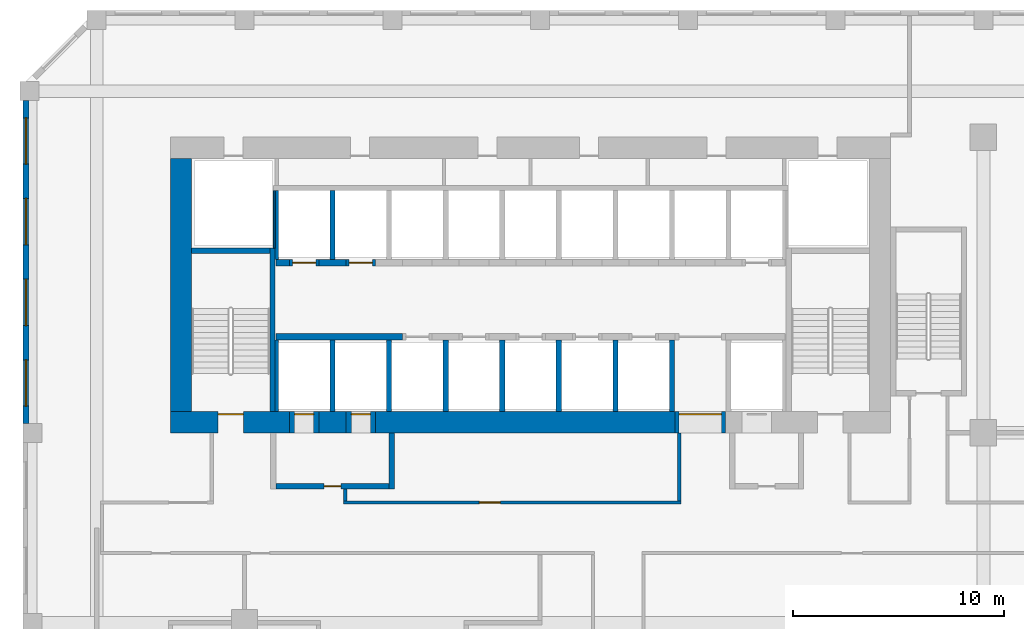
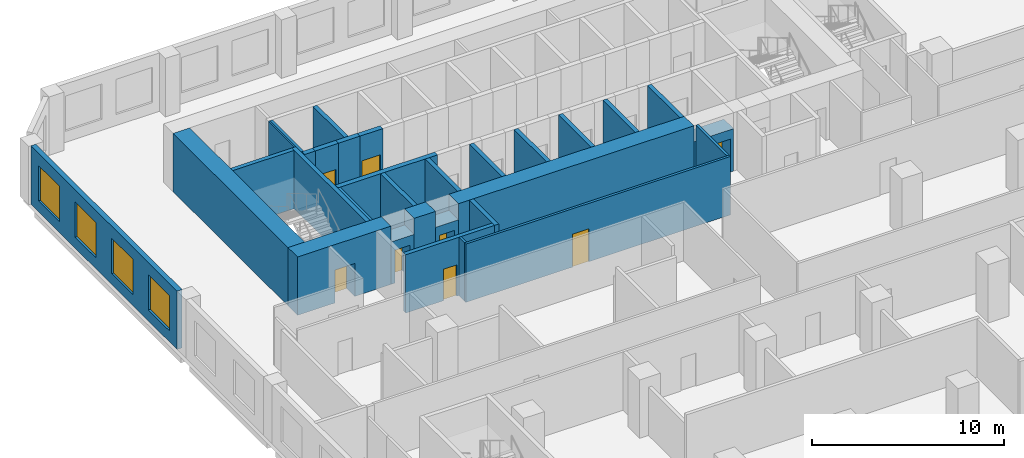
# One storey, part 12 of 25: 31 walls, 8 doors, 4 windows, 12 openings.
"""IFC4 building model written with IfcOpenShell, lengths in metres."""

import ifcopenshell
import ifcopenshell.guid

model = None  # the IFC model being written
_history = None  # IfcOwnerHistory: only IFC2X3 demands one
_inside = {}  # id of a spatial element -> (the spatial element, [elements in it])
_under = {}  # id of a project, library or spatial element -> (it, [spatial elements below it])
_declared = {}  # id of a project -> (the project, [libraries it declares])
_typed = {}  # id of a type object -> (the type object, [elements of that type])
_made_of = {}  # id of a material, layer set ... -> (it, [elements and type objects made of it])


def new_model(schema):
    """Start an empty IFC model of exactly this schema.

    Asked for "IFC4X3", IfcOpenShell would pick the latest addendum, in which some entities
    have other attributes; the version numbers below select the first issue.
    IFC2X3 requires an IfcOwnerHistory on every rooted entity: one is made here for all.
    """
    global model, _history
    if schema == "IFC4X3":
        model = ifcopenshell.file(schema_version=(4, 3, 0, 0))
    else:
        model = ifcopenshell.file(schema=schema)
    _inside.clear()
    _under.clear()
    _declared.clear()
    _typed.clear()
    _made_of.clear()
    _history = None
    if model.schema == "IFC2X3":
        org = make("IfcOrganization", Name="unknown")
        user = make(
            "IfcPersonAndOrganization",
            ThePerson=make("IfcPerson", FamilyName="unknown"),
            TheOrganization=org,
        )
        app = make(
            "IfcApplication",
            ApplicationDeveloper=org,
            Version="unknown",
            ApplicationFullName="unknown",
            ApplicationIdentifier="unknown",
        )
        _history = make(
            "IfcOwnerHistory",
            OwningUser=user,
            OwningApplication=app,
            ChangeAction="ADDED",
            CreationDate=0,
        )
    return model


def make(cls, **values):
    """One entity of the class cls with the attributes given. An attribute that is None is left unset."""
    return model.create_entity(
        cls, **{name: value for name, value in values.items() if value is not None}
    )


def rooted(cls, **values):
    """An entity with a GlobalId (a new one), such as an element, a storey or a relation."""
    return make(cls, GlobalId=ifcopenshell.guid.new(), OwnerHistory=_history, **values)


def si_unit(unit_type, name, prefix=None):
    """IfcSIUnit, for example si_unit("LENGTHUNIT", "METRE", prefix="MILLI")."""
    return make("IfcSIUnit", UnitType=unit_type, Prefix=prefix, Name=name)


def assignment(units):
    """IfcUnitAssignment: the units of a project."""
    return None if units is None else make("IfcUnitAssignment", Units=units)


def point(xyz):
    """IfcCartesianPoint."""
    return None if xyz is None else make("IfcCartesianPoint", Coordinates=xyz)


def direction(xyz):
    """IfcDirection."""
    return None if xyz is None else make("IfcDirection", DirectionRatios=xyz)


def frame(location, z_axis=None, x_axis=None):
    """IfcAxis2Placement3D, a coordinate frame: its origin and axes. An axis left out is left unset."""
    return make(
        "IfcAxis2Placement3D",
        Location=point(location),
        Axis=direction(z_axis),
        RefDirection=direction(x_axis),
    )


def frame_2d(location, x_axis=None):
    """IfcAxis2Placement2D, a coordinate frame in the plane: its origin and x axis."""
    return make(
        "IfcAxis2Placement2D", Location=point(location), RefDirection=direction(x_axis)
    )


def origin():
    """The frame at (0, 0, 0) with its axes left unset."""
    return frame((0.0, 0.0, 0.0))


def place(relative_to, where):
    """IfcLocalPlacement: puts the frame where relative to a parent placement (None: the world)."""
    return make(
        "IfcLocalPlacement", PlacementRelTo=relative_to, RelativePlacement=where
    )


def context(
    kind, dimensions, precision=None, world=None, true_north=None, identifier=None
):
    """IfcGeometricRepresentationContext, for example the 3D "Model" context."""
    return make(
        "IfcGeometricRepresentationContext",
        ContextIdentifier=identifier,
        ContextType=kind,
        CoordinateSpaceDimension=dimensions,
        Precision=precision,
        WorldCoordinateSystem=world,
        TrueNorth=true_north,
    )


def subcontext(parent, identifier, kind, view, scale=None):
    """IfcGeometricRepresentationSubContext, for example "Body" below "Model"."""
    return make(
        "IfcGeometricRepresentationSubContext",
        ContextIdentifier=identifier,
        ContextType=kind,
        ParentContext=parent,
        TargetScale=scale,
        TargetView=view,
    )


def project(units=None, contexts=None):
    """IfcProject with its units and contexts."""
    return rooted(
        "IfcProject",
        Name="project",
        RepresentationContexts=contexts,
        UnitsInContext=assignment(units),
    )


def spatial(cls, under=None, at=None, **own):
    """A site, building, storey or space (cls), placed at a placement, below another one or the project."""
    s = rooted(cls, ObjectPlacement=at, **own)
    if under is not None:
        _under.setdefault(under.id(), (under, []))[1].append(s)
    return s


def profile(cls, at=None, kind="AREA", **sizes):
    """A parametric profile (cls). Its sizes go by their IFC names, for example OverallWidth=200.0."""
    return make(cls, ProfileType=kind, Position=at, **sizes)


def rectangle(**sizes):
    """IfcRectangleProfileDef."""
    return profile("IfcRectangleProfileDef", **sizes)


def extrude(swept, where, along, depth):
    """IfcExtrudedAreaSolid: the profile swept, set in the frame where, extruded along a direction by depth."""
    return make(
        "IfcExtrudedAreaSolid",
        SweptArea=swept,
        Position=where,
        ExtrudedDirection=direction(along),
        Depth=depth,
    )


def shape(context_of_items, identifier, shape_type, items):
    """IfcShapeRepresentation: the items that make up one representation, for example the "Body"."""
    return make(
        "IfcShapeRepresentation",
        ContextOfItems=context_of_items,
        RepresentationIdentifier=identifier,
        RepresentationType=shape_type,
        Items=items,
    )


def source(mapping_origin, context_of_items, identifier, shape_type, items):
    """IfcRepresentationMap: a shape defined once, which mapped items show again and again."""
    return make(
        "IfcRepresentationMap",
        MappingOrigin=mapping_origin,
        MappedRepresentation=shape(context_of_items, identifier, shape_type, items),
    )


def transform(
    local_origin,
    x_axis=None,
    y_axis=None,
    z_axis=None,
    scale=None,
    scale2=None,
    scale3=None,
    uniform=True,
):
    """IfcCartesianTransformationOperator3D, or its non-uniform kind. x_axis, y_axis, z_axis: its Axis1, 2, 3."""
    if uniform:
        return make(
            "IfcCartesianTransformationOperator3D",
            Axis1=direction(x_axis),
            Axis2=direction(y_axis),
            LocalOrigin=point(local_origin),
            Scale=scale,
            Axis3=direction(z_axis),
        )
    return make(
        "IfcCartesianTransformationOperator3DnonUniform",
        Axis1=direction(x_axis),
        Axis2=direction(y_axis),
        LocalOrigin=point(local_origin),
        Scale=scale,
        Axis3=direction(z_axis),
        Scale2=scale2,
        Scale3=scale3,
    )


def mapped(mapping_source, mapping_target):
    """IfcMappedItem: shows the shape of a source again, moved by a transform."""
    return make(
        "IfcMappedItem", MappingSource=mapping_source, MappingTarget=mapping_target
    )


def material(Name=None, Category=None):
    """IfcMaterial."""
    return make("IfcMaterial", Name=Name, Category=Category)


def layer(
    of_material, thickness, ventilated=None, Name=None, Category=None, Priority=None
):
    """IfcMaterialLayer: one layer of a wall or slab, of a material (None: an air gap)."""
    return make(
        "IfcMaterialLayer",
        Material=of_material,
        LayerThickness=thickness,
        IsVentilated=ventilated,
        Name=Name,
        Category=Category,
        Priority=Priority,
    )


def layer_set(layers, Name=None):
    """IfcMaterialLayerSet."""
    return make("IfcMaterialLayerSet", MaterialLayers=layers, LayerSetName=Name)


def made_of(thing, what):
    """Note that an element or type object is made of a material, layer set ...; save() writes the relation."""
    if what is not None:
        _made_of.setdefault(what.id(), (what, []))[1].append(thing)
    return thing


def type_object(cls, material=None, **own):
    """A type object (cls), such as IfcWallType, which elements share."""
    return made_of(rooted(cls, **own), material)


def element(
    cls,
    number,
    at=None,
    inside=None,
    cuts=None,
    type_object=None,
    material=None,
    context=None,
    identifier="Body",
    shape_type=None,
    held_by="IfcProductDefinitionShape",
    body=None,
    shapes=None,
    **own,
):
    """One element of the class cls, such as IfcWall. Its Tag is "e" and its number.

    at: its placement. inside: the storey or other place that contains it. cuts: it is an
    opening in that element (IfcRelVoidsElement). A single representation is given by context,
    identifier, shape_type and body (its items); several are given by shapes. held_by: the class
    of the entity that holds the representations. save() writes the other relations.
    """
    e = rooted(cls, Tag="e%d" % number, ObjectPlacement=at, **own)
    if body is not None:
        shapes = [shape(context, identifier, shape_type, body)]
    if shapes is not None:
        e.Representation = make(held_by, Representations=shapes)
    if inside is not None:
        _inside.setdefault(inside.id(), (inside, []))[1].append(e)
    if cuts is not None:
        rooted(
            "IfcRelVoidsElement", RelatingBuildingElement=cuts, RelatedOpeningElement=e
        )
    if type_object is not None:
        _typed.setdefault(type_object.id(), (type_object, []))[1].append(e)
    return made_of(e, material)


def fill(opening, filler):
    """IfcRelFillsElement: the door or window that sits in an opening."""
    return rooted(
        "IfcRelFillsElement",
        RelatingOpeningElement=opening,
        RelatedBuildingElement=filler,
    )


def aggregate(whole, parts):
    """IfcRelAggregates: a whole, such as a stair, and the parts it consists of."""
    return rooted("IfcRelAggregates", RelatingObject=whole, RelatedObjects=parts)


def save(model, path):
    """Write the relations noted so far, then the file.

    IfcRelAggregates (storeys below a building ...), IfcRelContainedInSpatialStructure (elements
    in a storey), IfcRelDefinesByType, IfcRelAssociatesMaterial and IfcRelDeclares: one each for
    every whole, place, type object, material and project.
    """
    for whole, parts in _under.values():
        aggregate(whole, parts)
    for where, things in _inside.values():
        rooted(
            "IfcRelContainedInSpatialStructure",
            RelatedElements=things,
            RelatingStructure=where,
        )
    for kind, things in _typed.values():
        rooted("IfcRelDefinesByType", RelatedObjects=things, RelatingType=kind)
    for what, things in _made_of.values():
        rooted("IfcRelAssociatesMaterial", RelatedObjects=things, RelatingMaterial=what)
    for by, libraries in _declared.values():
        rooted("IfcRelDeclares", RelatingContext=by, RelatedDefinitions=libraries)
    model.write(path)


model = new_model("IFC4")

# Units and contexts
model_context = context("Model", 3, precision=1e-05, world=origin(), true_north=direction((0.0, 1.0)))
body_context = subcontext(model_context, "Body", "Model", "MODEL_VIEW")
ifc_project = project(units=[si_unit("LENGTHUNIT", "METRE"), si_unit("AREAUNIT", "SQUARE_METRE"), si_unit("VOLUMEUNIT", "CUBIC_METRE"), si_unit("PLANEANGLEUNIT", "RADIAN"), si_unit("MASSUNIT", "GRAM", prefix="KILO")], contexts=[model_context])

# Site, building, storey
site_placement = place(None, origin())
site = spatial("IfcSite", under=ifc_project, at=site_placement, CompositionType="ELEMENT")
building_placement = place(site_placement, origin())
building = spatial("IfcBuilding", under=site, at=building_placement, Name="Kilnfold Tower and Market Hall", CompositionType="ELEMENT")
storey_placement = place(building_placement, frame((0.0, 0.0, 67.199951171875)))
storey = spatial("IfcBuildingStorey", under=building, at=storey_placement, Name="L15", CompositionType="ELEMENT", Elevation=67.199951171875)

# Wall
ifc_material_1 = material(Name="Gypsum board on steel studs", Category="steel")
ifc_layer_1 = layer(ifc_material_1, 0.14990234375)
ifc_layer_set_1 = layer_set([ifc_layer_1], Name="Gypsum board on steel studs")
wall_type_1 = type_object("IfcWallType", Name="WALL CORRIDOR 150", PredefinedType="PARTITIONING", material=ifc_layer_set_1)
wall_1_placement = place(storey_placement, frame((-7.72998046875, 4.77490234375, 0.0), z_axis=(0.0, 0.0, 1.0), x_axis=(0.0, 1.0, 0.0)))
element("IfcWall", 1, at=wall_1_placement, inside=storey, type_object=wall_type_1, Name="Partition LY12.14", PredefinedType="PARTITIONING", context=body_context, shape_type="SweptSolid", body=[
    extrude(rectangle(XDim=0.5751953125, YDim=0.14990234375, at=frame_2d((0.28759765625, 0.0))), origin(), (0.0, 0.0, 1.0), 3.719970703125),
])

# Wall, opening, door
wall_2_placement = place(storey_placement, frame((-7.804931640625, 4.699951171875, 0.0), z_axis=(0.0, 0.0, 1.0), x_axis=(1.0, 0.0, 0.0)))
wall_2 = element("IfcWall", 2, at=wall_2_placement, inside=storey, type_object=wall_type_1, Name="Partition LY12.15", PredefinedType="PARTITIONING", context=body_context, shape_type="SweptSolid", body=[
    extrude(rectangle(XDim=15.969970703125, YDim=0.14990234375, at=frame_2d((7.98486328125, 0.0))), origin(), (0.0, 0.0, 1.0), 3.719970703125),
])
opening_1_placement = place(wall_2_placement, frame((6.429931640625, 0.0, 0.0)))
opening_1 = element("IfcOpeningElement", 3, at=opening_1_placement, cuts=wall_2, Name="Opening D1", PredefinedType="OPENING", context=body_context, shape_type="SweptSolid", body=[
    extrude(rectangle(XDim=1.0, YDim=2.10009765625, at=frame_2d((0.5, 1.050048828125))), frame((0.0, 0.0849609375, 0.0), z_axis=(0.0, -1.0, 0.0), x_axis=(1.0, 0.0, 0.0)), (0.0, 0.0, 1.0), 0.169921875),
])
ifc_material_2 = material(Name="Timber veneer door leaf in steel frame", Category="steel")
door_type_1 = type_object("IfcDoorType", Name="DOOR ENTRY 1000 X2100", OperationType="NOTDEFINED", PredefinedType="DOOR", material=ifc_material_2)
door_1_placement = place(opening_1_placement, origin())
door_1 = element("IfcDoor", 4, at=door_1_placement, inside=storey, type_object=door_type_1, Name="Door D1", OperationType="SINGLE_SWING_RIGHT", OverallHeight=2.10009765625, OverallWidth=1.0, PredefinedType="DOOR", context=body_context, shape_type="SweptSolid", body=[
    extrude(rectangle(XDim=1.0, YDim=2.10009765625, at=frame_2d((0.5, 1.050048828125))), frame((0.0, 0.02490234375, 0.0), z_axis=(0.0, -1.0, 0.0), x_axis=(1.0, 0.0, 0.0)), (0.0, 0.0, 1.0), 0.050048828125),
])
fill(opening_1, door_1)

# Wall
wall_3_placement = place(storey_placement, frame((8.090087890625, 8.0, 0.0), z_axis=(0.0, 0.0, 1.0), x_axis=(0.0, -1.0, 0.0)))
element("IfcWall", 5, at=wall_3_placement, inside=storey, type_object=wall_type_1, Name="Partition LY12.16", PredefinedType="PARTITIONING", context=body_context, shape_type="SweptSolid", body=[
    extrude(rectangle(XDim=3.22509765625, YDim=0.14990234375, at=frame_2d((1.612548828125, 0.0))), origin(), (0.0, 0.0, 1.0), 3.719970703125),
])

# Wall, opening, door
ifc_material_3 = material(Name="Concrete C80", Category="concrete")
ifc_layer_2 = layer(ifc_material_3, 1.0)
ifc_layer_set_2 = layer_set([ifc_layer_2], Name="Concrete C80")
wall_type_2 = type_object("IfcWallType", Name="CORE WALL 1000 C80", PredefinedType="SHEAR", material=ifc_layer_set_2)
shared_shape_1 = source(origin(), body_context, "Body", "SweptSolid", [
    extrude(rectangle(XDim=5.6298828125, YDim=1.0, at=frame_2d((2.81494140625, 0.0))), origin(), (0.0, 0.0, 1.0), 3.719970703125),
])
wall_4_placement = place(storey_placement, frame((-16.0, 8.5, 0.0), z_axis=(0.0, 0.0, 1.0), x_axis=(1.0, 0.0, 0.0)))
wall_4 = element("IfcWall", 6, at=wall_4_placement, inside=storey, type_object=wall_type_2, Name="Core outer wall south", PredefinedType="SHEAR", context=body_context, shape_type="MappedRepresentation", body=[
    mapped(shared_shape_1, transform((0.0, 0.0, 0.0))),
])
opening_2_placement = place(wall_4_placement, frame((2.25, 0.0, 0.0)))
opening_2 = element("IfcOpeningElement", 7, at=opening_2_placement, cuts=wall_4, Name="Opening SD1", PredefinedType="OPENING", context=body_context, shape_type="SweptSolid", body=[
    extrude(rectangle(XDim=1.199951171875, YDim=2.10009765625, at=frame_2d((0.60009765625, 1.050048828125))), frame((0.0, 0.510009765625, 0.0), z_axis=(0.0, -1.0, 0.0), x_axis=(1.0, 0.0, 0.0)), (0.0, 0.0, 1.0), 1.02001953125),
])
ifc_material_4 = material(Name="Steel door set with fire-resisting leaf", Category="steel")
door_type_2 = type_object("IfcDoorType", Name="STAIR FLOOR DOOR 1200X2100", OperationType="NOTDEFINED", PredefinedType="DOOR", material=ifc_material_4)
door_2_placement = place(opening_2_placement, origin())
door_2 = element("IfcDoor", 8, at=door_2_placement, inside=storey, type_object=door_type_2, Name="Exit stair ST1 door", OperationType="DOUBLE_DOOR_SINGLE_SWING", OverallHeight=2.10009765625, OverallWidth=1.199951171875, PredefinedType="DOOR", context=body_context, shape_type="SweptSolid", body=[
    extrude(rectangle(XDim=1.199951171875, YDim=2.10009765625, at=frame_2d((0.60009765625, 1.050048828125))), frame((0.0, 0.40478515625, 0.0), z_axis=(0.0, -1.0, 0.0), x_axis=(1.0, 0.0, 0.0)), (0.0, 0.0, 1.0), 0.050048828125),
])
fill(opening_2, door_2)

# Walls
shared_shape_2 = source(origin(), body_context, "Body", "SweptSolid", [
    extrude(rectangle(XDim=1.280029296875, YDim=1.0, at=frame_2d((0.64013671875, 0.0))), origin(), (0.0, 0.0, 1.0), 3.719970703125),
])
wall_5_placement = place(storey_placement, frame((-8.969970703125, 8.5, 0.0), z_axis=(0.0, 0.0, 1.0), x_axis=(1.0, 0.0, 0.0)))
element("IfcWall", 9, at=wall_5_placement, inside=storey, type_object=wall_type_2, Name="Core outer wall south", PredefinedType="SHEAR", context=body_context, shape_type="MappedRepresentation", body=[
    mapped(shared_shape_2, transform((0.0, 0.0, 0.0))),
])
shared_shape_3 = source(origin(), body_context, "Body", "SweptSolid", [
    extrude(rectangle(XDim=14.179931640625, YDim=1.0, at=frame_2d((7.08984375, 0.0))), origin(), (0.0, 0.0, 1.0), 3.719970703125),
])
wall_6_placement = place(storey_placement, frame((-6.2900390625, 8.5, 0.0), z_axis=(0.0, 0.0, 1.0), x_axis=(1.0, 0.0, 0.0)))
element("IfcWall", 10, at=wall_6_placement, inside=storey, type_object=wall_type_2, Name="Core outer wall south", PredefinedType="SHEAR", context=body_context, shape_type="MappedRepresentation", body=[
    mapped(shared_shape_3, transform((0.0, 0.0, 0.0))),
])
shared_shape_4 = source(origin(), body_context, "Body", "SweptSolid", [
    extrude(rectangle(XDim=12.0, YDim=1.0, at=frame_2d((6.0, 0.0))), origin(), (0.0, 0.0, 1.0), 3.719970703125),
])
wall_7_placement = place(storey_placement, frame((-15.5, 9.0, 0.0), z_axis=(0.0, 0.0, 1.0), x_axis=(0.0, 1.0, 0.0)))
element("IfcWall", 11, at=wall_7_placement, inside=storey, type_object=wall_type_2, Name="Core outer wall west", PredefinedType="SHEAR", context=body_context, shape_type="MappedRepresentation", body=[
    mapped(shared_shape_4, transform((0.0, 0.0, 0.0))),
])
ifc_material_5 = material(Name="Concrete C80", Category="concrete")
ifc_layer_3 = layer(ifc_material_5, 0.25)
ifc_layer_set_3 = layer_set([ifc_layer_3], Name="Concrete C80")
wall_type_3 = type_object("IfcWallType", Name="CORE WALL 250 C80", PredefinedType="SHEAR", material=ifc_layer_set_3)
shared_shape_5 = source(origin(), body_context, "Body", "SweptSolid", [
    extrude(rectangle(XDim=7.75, YDim=0.25, at=frame_2d((3.875, 0.0))), origin(), (0.0, 0.0, 1.0), 3.719970703125),
])
wall_8_placement = place(storey_placement, frame((-11.175048828125, 9.0, 0.0), z_axis=(0.0, 0.0, 1.0), x_axis=(0.0, 1.0, 0.0)))
element("IfcWall", 12, at=wall_8_placement, inside=storey, type_object=wall_type_3, Name="Stair enclosure ST1", PredefinedType="SHEAR", context=body_context, shape_type="MappedRepresentation", body=[
    mapped(shared_shape_5, transform((0.0, 0.0, 0.0))),
])
shared_shape_6 = source(origin(), body_context, "Body", "SweptSolid", [
    extrude(rectangle(XDim=3.699951171875, YDim=0.25, at=frame_2d((1.85009765625, 0.0))), origin(), (0.0, 0.0, 1.0), 3.719970703125),
])
wall_9_placement = place(storey_placement, frame((-15.0, 16.625, 0.0), z_axis=(0.0, 0.0, 1.0), x_axis=(1.0, 0.0, 0.0)))
element("IfcWall", 13, at=wall_9_placement, inside=storey, type_object=wall_type_3, Name="Stair enclosure ST1", PredefinedType="SHEAR", context=body_context, shape_type="MappedRepresentation", body=[
    mapped(shared_shape_6, transform((0.0, 0.0, 0.0))),
])
ifc_material_6 = material(Name="Concrete C80", Category="concrete")
ifc_layer_4 = layer(ifc_material_6, 0.300048828125)
ifc_layer_set_4 = layer_set([ifc_layer_4], Name="Concrete C80")
wall_type_4 = type_object("IfcWallType", Name="CORE WALL 300 C80", PredefinedType="SHEAR", material=ifc_layer_set_4)
shared_shape_7 = source(origin(), body_context, "Body", "SweptSolid", [
    extrude(rectangle(XDim=6.0, YDim=0.300048828125, at=frame_2d((3.0, 0.0))), origin(), (0.0, 0.0, 1.0), 3.719970703125),
])
wall_10_placement = place(storey_placement, frame((-11.010009765625, 12.550048828125, 0.0), z_axis=(0.0, 0.0, 1.0), x_axis=(1.0, 0.0, 0.0)))
element("IfcWall", 14, at=wall_10_placement, inside=storey, type_object=wall_type_4, Name="Core spine wall", PredefinedType="SHEAR", context=body_context, shape_type="MappedRepresentation", body=[
    mapped(shared_shape_7, transform((0.0, 0.0, 0.0))),
])
shared_shape_8 = source(origin(), body_context, "Body", "SweptSolid", [
    extrude(rectangle(XDim=1.280029296875, YDim=0.300048828125, at=frame_2d((0.64013671875, 0.0))), origin(), (0.0, 0.0, 1.0), 3.719970703125),
])
wall_11_placement = place(storey_placement, frame((-8.969970703125, 16.050048828125, 0.0), z_axis=(0.0, 0.0, 1.0), x_axis=(1.0, 0.0, 0.0)))
element("IfcWall", 15, at=wall_11_placement, inside=storey, type_object=wall_type_4, Name="Core spine wall", PredefinedType="SHEAR", context=body_context, shape_type="MappedRepresentation", body=[
    mapped(shared_shape_8, transform((0.0, 0.0, 0.0))),
])
shared_shape_9 = source(origin(), body_context, "Body", "SweptSolid", [
    extrude(rectangle(XDim=0.639892578125, YDim=0.300048828125, at=frame_2d((0.31982421875, 0.0))), origin(), (0.0, 0.0, 1.0), 3.719970703125),
])
wall_12_placement = place(storey_placement, frame((-11.010009765625, 16.050048828125, 0.0), z_axis=(0.0, 0.0, 1.0), x_axis=(1.0, 0.0, 0.0)))
element("IfcWall", 16, at=wall_12_placement, inside=storey, type_object=wall_type_4, Name="Core spine wall", PredefinedType="SHEAR", context=body_context, shape_type="MappedRepresentation", body=[
    mapped(shared_shape_9, transform((0.0, 0.0, 0.0))),
])

# Wall, openings, windows
ifc_material_7 = material(Name="Precast concrete C50/60", Category="concrete")
ifc_layer_5 = layer(ifc_material_7, 0.300048828125)
ifc_layer_set_5 = layer_set([ifc_layer_5], Name="Precast concrete C50/60")
wall_type_5 = type_object("IfcWallType", Name="PRECAST WALL 300", PredefinedType="SOLIDWALL", material=ifc_layer_set_5)
shared_shape_10 = source(origin(), body_context, "Body", "SweptSolid", [
    extrude(rectangle(XDim=15.28173828125, YDim=0.300048828125, at=frame_2d((7.640869140625, 0.0))), origin(), (0.0, 0.0, 1.0), 3.719970703125),
])
wall_13_placement = place(storey_placement, frame((-22.85009765625, 23.731689453125, 0.0), z_axis=(0.0, 0.0, 1.0), x_axis=(0.0, -1.0, 0.0)))
wall_13 = element("IfcWall", 17, at=wall_13_placement, inside=storey, type_object=wall_type_5, Name="External wall L15 W", PredefinedType="SOLIDWALL", context=body_context, shape_type="MappedRepresentation", body=[
    mapped(shared_shape_10, transform((0.0, 0.0, 0.0))),
])
opening_3_placement = place(wall_13_placement, frame((0.810302734375, 0.0, 0.699951171875)))
opening_3 = element("IfcOpeningElement", 18, at=opening_3_placement, cuts=wall_13, Name="Opening W1", PredefinedType="OPENING", context=body_context, shape_type="SweptSolid", body=[
    extrude(rectangle(XDim=2.199951171875, YDim=2.25, at=frame_2d((1.10009765625, 1.125))), frame((0.0, 0.16015625, 0.0), z_axis=(0.0, -1.0, 0.0), x_axis=(1.0, 0.0, 0.0)), (0.0, 0.0, 1.0), 0.320068359375),
])
opening_4_placement = place(wall_13_placement, frame((4.630615234375, 0.0, 0.699951171875)))
opening_4 = element("IfcOpeningElement", 19, at=opening_4_placement, cuts=wall_13, Name="Opening W1", PredefinedType="OPENING", context=body_context, shape_type="SweptSolid", body=[
    extrude(rectangle(XDim=2.199951171875, YDim=2.25, at=frame_2d((1.10009765625, 1.125))), frame((0.0, 0.16015625, 0.0), z_axis=(0.0, -1.0, 0.0), x_axis=(1.0, 0.0, 0.0)), (0.0, 0.0, 1.0), 0.320068359375),
])
opening_5_placement = place(wall_13_placement, frame((8.451171875, 0.0, 0.699951171875)))
opening_5 = element("IfcOpeningElement", 20, at=opening_5_placement, cuts=wall_13, Name="Opening W1", PredefinedType="OPENING", context=body_context, shape_type="SweptSolid", body=[
    extrude(rectangle(XDim=2.199951171875, YDim=2.25, at=frame_2d((1.10009765625, 1.125))), frame((0.0, 0.16015625, 0.0), z_axis=(0.0, -1.0, 0.0), x_axis=(1.0, 0.0, 0.0)), (0.0, 0.0, 1.0), 0.320068359375),
])
opening_6_placement = place(wall_13_placement, frame((12.271484375, 0.0, 0.699951171875)))
opening_6 = element("IfcOpeningElement", 21, at=opening_6_placement, cuts=wall_13, Name="Opening W1", PredefinedType="OPENING", context=body_context, shape_type="SweptSolid", body=[
    extrude(rectangle(XDim=2.199951171875, YDim=2.25, at=frame_2d((1.10009765625, 1.125))), frame((0.0, 0.16015625, 0.0), z_axis=(0.0, -1.0, 0.0), x_axis=(1.0, 0.0, 0.0)), (0.0, 0.0, 1.0), 0.320068359375),
])
ifc_material_8 = material(Name="Aluminium frame and double glazing", Category="aluminium")
window_type = type_object("IfcWindowType", Name="WINDOW W1 2200X2250", PartitioningType="SINGLE_PANEL", PredefinedType="WINDOW", material=ifc_material_8)
window_1_placement = place(opening_3_placement, origin())
window_1 = element("IfcWindow", 22, at=window_1_placement, inside=storey, type_object=window_type, Name="Window W1 L15 W-1", OverallHeight=2.25, OverallWidth=2.199951171875, PartitioningType="SINGLE_PANEL", PredefinedType="WINDOW", context=body_context, shape_type="SweptSolid", body=[
    extrude(rectangle(XDim=2.199951171875, YDim=2.25, at=frame_2d((1.10009765625, 1.125))), frame((0.0, 0.030029296875, 0.0), z_axis=(0.0, -1.0, 0.0), x_axis=(1.0, 0.0, 0.0)), (0.0, 0.0, 1.0), 0.06005859375),
])
fill(opening_3, window_1)
window_2_placement = place(opening_4_placement, origin())
window_2 = element("IfcWindow", 23, at=window_2_placement, inside=storey, type_object=window_type, Name="Window W1 L15 W-2", OverallHeight=2.25, OverallWidth=2.199951171875, PartitioningType="SINGLE_PANEL", PredefinedType="WINDOW", context=body_context, shape_type="SweptSolid", body=[
    extrude(rectangle(XDim=2.199951171875, YDim=2.25, at=frame_2d((1.10009765625, 1.125))), frame((0.0, 0.030029296875, 0.0), z_axis=(0.0, -1.0, 0.0), x_axis=(1.0, 0.0, 0.0)), (0.0, 0.0, 1.0), 0.06005859375),
])
fill(opening_4, window_2)
window_3_placement = place(opening_5_placement, origin())
window_3 = element("IfcWindow", 24, at=window_3_placement, inside=storey, type_object=window_type, Name="Window W1 L15 W-3", OverallHeight=2.25, OverallWidth=2.199951171875, PartitioningType="SINGLE_PANEL", PredefinedType="WINDOW", context=body_context, shape_type="SweptSolid", body=[
    extrude(rectangle(XDim=2.199951171875, YDim=2.25, at=frame_2d((1.10009765625, 1.125))), frame((0.0, 0.030029296875, 0.0), z_axis=(0.0, -1.0, 0.0), x_axis=(1.0, 0.0, 0.0)), (0.0, 0.0, 1.0), 0.06005859375),
])
fill(opening_5, window_3)
window_4_placement = place(opening_6_placement, origin())
window_4 = element("IfcWindow", 25, at=window_4_placement, inside=storey, type_object=window_type, Name="Window W1 L15 W-4", OverallHeight=2.25, OverallWidth=2.199951171875, PartitioningType="SINGLE_PANEL", PredefinedType="WINDOW", context=body_context, shape_type="SweptSolid", body=[
    extrude(rectangle(XDim=2.199951171875, YDim=2.25, at=frame_2d((1.10009765625, 1.125))), frame((0.0, 0.030029296875, 0.0), z_axis=(0.0, -1.0, 0.0), x_axis=(1.0, 0.0, 0.0)), (0.0, 0.0, 1.0), 0.06005859375),
])
fill(opening_6, window_4)

# Wall, opening, door
ifc_material_9 = material(Name="Gypsum shaft wall system")
ifc_layer_6 = layer(ifc_material_9, 1.0)
ifc_layer_set_6 = layer_set([ifc_layer_6], Name="Gypsum shaft wall system")
wall_type_6 = type_object("IfcWallType", Name="LOBBY WALL 1000", PredefinedType="PARTITIONING", material=ifc_layer_set_6)
shared_shape_11 = source(origin(), body_context, "Body", "SweptSolid", [
    extrude(rectangle(XDim=1.400146484375, YDim=1.0, at=frame_2d((0.7001953125, 0.0))), origin(), (0.0, 0.0, 1.0), 2.699951171875),
])
wall_14_placement = place(storey_placement, frame((-10.3701171875, 8.5, 0.0), z_axis=(0.0, 0.0, 1.0), x_axis=(1.0, 0.0, 0.0)))
wall_14 = element("IfcWall", 26, at=wall_14_placement, inside=storey, type_object=wall_type_6, Name="Core wall infill", PredefinedType="PARTITIONING", context=body_context, shape_type="MappedRepresentation", body=[
    mapped(shared_shape_11, transform((0.0, 0.0, 0.0))),
])
opening_7_placement = place(wall_14_placement, frame((0.25, 0.0, 0.0)))
opening_7 = element("IfcOpeningElement", 27, at=opening_7_placement, cuts=wall_14, Name="Opening LD1", PredefinedType="OPENING", context=body_context, shape_type="SweptSolid", body=[
    extrude(rectangle(XDim=0.89990234375, YDim=2.10009765625, at=frame_2d((0.449951171875, 1.050048828125))), frame((0.0, 0.510009765625, 0.0), z_axis=(0.0, -1.0, 0.0), x_axis=(1.0, 0.0, 0.0)), (0.0, 0.0, 1.0), 1.02001953125),
])
ifc_material_10 = material(Name="Steel door set with fire-resisting leaf", Category="steel")
door_type_3 = type_object("IfcDoorType", Name="FIREFIGHTING LANDING DOOR 900X2100", OperationType="NOTDEFINED", PredefinedType="DOOR", material=ifc_material_10)
door_3_placement = place(opening_7_placement, origin())
door_3 = element("IfcDoor", 28, at=door_3_placement, inside=storey, type_object=door_type_3, Name="Landing door FF1", OperationType="SLIDING_TO_LEFT", OverallHeight=2.10009765625, OverallWidth=0.89990234375, PredefinedType="DOOR", context=body_context, shape_type="SweptSolid", body=[
    extrude(rectangle(XDim=0.89990234375, YDim=2.10009765625, at=frame_2d((0.449951171875, 1.050048828125))), frame((0.0, 0.40478515625, 0.0), z_axis=(0.0, -1.0, 0.0), x_axis=(1.0, 0.0, 0.0)), (0.0, 0.0, 1.0), 0.050048828125),
])
fill(opening_7, door_3)

shared_shape_12 = source(origin(), body_context, "Body", "SweptSolid", [
    extrude(rectangle(XDim=1.39990234375, YDim=1.0, at=frame_2d((0.699951171875, 0.0))), origin(), (0.0, 0.0, 1.0), 2.699951171875),
])
wall_15_placement = place(storey_placement, frame((-7.68994140625, 8.5, 0.0), z_axis=(0.0, 0.0, 1.0), x_axis=(1.0, 0.0, 0.0)))
wall_15 = element("IfcWall", 29, at=wall_15_placement, inside=storey, type_object=wall_type_6, Name="Core wall infill", PredefinedType="PARTITIONING", context=body_context, shape_type="MappedRepresentation", body=[
    mapped(shared_shape_12, transform((0.0, 0.0, 0.0))),
])
opening_8_placement = place(wall_15_placement, frame((0.25, 0.0, 0.0)))
opening_8 = element("IfcOpeningElement", 30, at=opening_8_placement, cuts=wall_15, Name="Opening LD1", PredefinedType="OPENING", context=body_context, shape_type="SweptSolid", body=[
    extrude(rectangle(XDim=0.89990234375, YDim=2.10009765625, at=frame_2d((0.449951171875, 1.050048828125))), frame((0.0, 0.510009765625, 0.0), z_axis=(0.0, -1.0, 0.0), x_axis=(1.0, 0.0, 0.0)), (0.0, 0.0, 1.0), 1.02001953125),
])
door_4_placement = place(opening_8_placement, origin())
door_4 = element("IfcDoor", 31, at=door_4_placement, inside=storey, type_object=door_type_3, Name="Landing door FF2", OperationType="SLIDING_TO_RIGHT", OverallHeight=2.10009765625, OverallWidth=0.89990234375, PredefinedType="DOOR", context=body_context, shape_type="SweptSolid", body=[
    extrude(rectangle(XDim=0.89990234375, YDim=2.10009765625, at=frame_2d((0.449951171875, 1.050048828125))), frame((0.0, 0.40478515625, 0.0), z_axis=(0.0, -1.0, 0.0), x_axis=(1.0, 0.0, 0.0)), (0.0, 0.0, 1.0), 0.050048828125),
])
fill(opening_8, door_4)

shared_shape_13 = source(origin(), body_context, "Body", "SweptSolid", [
    extrude(rectangle(XDim=2.400146484375, YDim=1.0, at=frame_2d((1.2001953125, 0.0))), origin(), (0.0, 0.0, 1.0), 2.699951171875),
])
wall_16_placement = place(storey_placement, frame((7.889892578125, 8.5, 0.0), z_axis=(0.0, 0.0, 1.0), x_axis=(1.0, 0.0, 0.0)))
wall_16 = element("IfcWall", 32, at=wall_16_placement, inside=storey, type_object=wall_type_6, Name="Core wall infill", PredefinedType="PARTITIONING", context=body_context, shape_type="MappedRepresentation", body=[
    mapped(shared_shape_13, transform((0.0, 0.0, 0.0))),
])
opening_9_placement = place(wall_16_placement, frame((0.199951171875, 0.0, 0.0)))
opening_9 = element("IfcOpeningElement", 33, at=opening_9_placement, cuts=wall_16, Name="Opening VD2", PredefinedType="OPENING", context=body_context, shape_type="SweptSolid", body=[
    extrude(rectangle(XDim=2.0, YDim=2.10009765625, at=frame_2d((1.0, 1.050048828125))), frame((0.0, 0.510009765625, 0.0), z_axis=(0.0, -1.0, 0.0), x_axis=(1.0, 0.0, 0.0)), (0.0, 0.0, 1.0), 1.02001953125),
])
ifc_material_11 = material(Name="Steel door set with fire-resisting leaf", Category="steel")
door_type_4 = type_object("IfcDoorType", Name="LIFT LOBBY ENTRANCE DOOR 2000X2100", OperationType="NOTDEFINED", PredefinedType="DOOR", material=ifc_material_11)
door_5_placement = place(opening_9_placement, origin())
door_5 = element("IfcDoor", 34, at=door_5_placement, inside=storey, type_object=door_type_4, Name="Lift lobby entrance door", OperationType="DOUBLE_DOOR_SINGLE_SWING", OverallHeight=2.10009765625, OverallWidth=2.0, PredefinedType="DOOR", context=body_context, shape_type="SweptSolid", body=[
    extrude(rectangle(XDim=2.0, YDim=2.10009765625, at=frame_2d((1.0, 1.050048828125))), frame((0.0, 0.40478515625, 0.0), z_axis=(0.0, -1.0, 0.0), x_axis=(1.0, 0.0, 0.0)), (0.0, 0.0, 1.0), 0.050048828125),
])
fill(opening_9, door_5)

ifc_material_12 = material(Name="Gypsum shaft wall system")
ifc_layer_7 = layer(ifc_material_12, 0.300048828125)
ifc_layer_set_7 = layer_set([ifc_layer_7], Name="Gypsum shaft wall system")
wall_type_7 = type_object("IfcWallType", Name="SHAFT WALL 300", PredefinedType="PARTITIONING", material=ifc_layer_set_7)
shared_shape_14 = source(origin(), body_context, "Body", "SweptSolid", [
    extrude(rectangle(XDim=1.39990234375, YDim=0.300048828125, at=frame_2d((0.699951171875, 0.0))), origin(), (0.0, 0.0, 1.0), 3.719970703125),
])
wall_17_placement = place(storey_placement, frame((-7.68994140625, 16.050048828125, 0.0), z_axis=(0.0, 0.0, 1.0), x_axis=(1.0, 0.0, 0.0)))
wall_17 = element("IfcWall", 35, at=wall_17_placement, inside=storey, type_object=wall_type_7, Name="Lift shaft front wall", PredefinedType="PARTITIONING", context=body_context, shape_type="MappedRepresentation", body=[
    mapped(shared_shape_14, transform((0.0, 0.0, 0.0))),
])
opening_10_placement = place(wall_17_placement, frame((0.14990234375, 0.0, 0.0)))
opening_10 = element("IfcOpeningElement", 36, at=opening_10_placement, cuts=wall_17, Name="Opening LD2", PredefinedType="OPENING", context=body_context, shape_type="SweptSolid", body=[
    extrude(rectangle(XDim=1.10009765625, YDim=2.10009765625, at=frame_2d((0.550048828125, 1.050048828125))), frame((0.0, 0.16015625, 0.0), z_axis=(0.0, -1.0, 0.0), x_axis=(1.0, 0.0, 0.0)), (0.0, 0.0, 1.0), 0.320068359375),
])
ifc_material_13 = material(Name="Steel door set with fire-resisting leaf", Category="steel")
door_type_5 = type_object("IfcDoorType", Name="LANDING DOOR 1100X2100", OperationType="NOTDEFINED", PredefinedType="DOOR", material=ifc_material_13)
door_6_placement = place(opening_10_placement, origin())
door_6 = element("IfcDoor", 37, at=door_6_placement, inside=storey, type_object=door_type_5, Name="Landing door LR8", OperationType="DOUBLE_DOOR_SLIDING", OverallHeight=2.10009765625, OverallWidth=1.10009765625, PredefinedType="DOOR", context=body_context, shape_type="SweptSolid", body=[
    extrude(rectangle(XDim=1.10009765625, YDim=2.10009765625, at=frame_2d((0.550048828125, 1.050048828125))), frame((0.0, 0.02490234375, 0.0), z_axis=(0.0, -1.0, 0.0), x_axis=(1.0, 0.0, 0.0)), (0.0, 0.0, 1.0), 0.050048828125),
])
fill(opening_10, door_6)

shared_shape_15 = source(origin(), body_context, "Body", "SweptSolid", [
    extrude(rectangle(XDim=1.400146484375, YDim=0.300048828125, at=frame_2d((0.7001953125, 0.0))), origin(), (0.0, 0.0, 1.0), 3.719970703125),
])
wall_18_placement = place(storey_placement, frame((-10.3701171875, 16.050048828125, 0.0), z_axis=(0.0, 0.0, 1.0), x_axis=(1.0, 0.0, 0.0)))
wall_18 = element("IfcWall", 38, at=wall_18_placement, inside=storey, type_object=wall_type_7, Name="Lift shaft front wall", PredefinedType="PARTITIONING", context=body_context, shape_type="MappedRepresentation", body=[
    mapped(shared_shape_15, transform((0.0, 0.0, 0.0))),
])
opening_11_placement = place(wall_18_placement, frame((0.14990234375, 0.0, 0.0)))
opening_11 = element("IfcOpeningElement", 39, at=opening_11_placement, cuts=wall_18, Name="Opening LD2", PredefinedType="OPENING", context=body_context, shape_type="SweptSolid", body=[
    extrude(rectangle(XDim=1.10009765625, YDim=2.10009765625, at=frame_2d((0.550048828125, 1.050048828125))), frame((0.0, 0.16015625, 0.0), z_axis=(0.0, -1.0, 0.0), x_axis=(1.0, 0.0, 0.0)), (0.0, 0.0, 1.0), 0.320068359375),
])
door_7_placement = place(opening_11_placement, origin())
door_7 = element("IfcDoor", 40, at=door_7_placement, inside=storey, type_object=door_type_5, Name="Landing door LR7", OperationType="DOUBLE_DOOR_SLIDING", OverallHeight=2.10009765625, OverallWidth=1.10009765625, PredefinedType="DOOR", context=body_context, shape_type="SweptSolid", body=[
    extrude(rectangle(XDim=1.10009765625, YDim=2.10009765625, at=frame_2d((0.550048828125, 1.050048828125))), frame((0.0, 0.02490234375, 0.0), z_axis=(0.0, -1.0, 0.0), x_axis=(1.0, 0.0, 0.0)), (0.0, 0.0, 1.0), 0.050048828125),
])
fill(opening_11, door_7)

# Wall
ifc_material_14 = material(Name="Gypsum shaft wall system")
ifc_layer_8 = layer(ifc_material_14, 0.25)
ifc_layer_set_8 = layer_set([ifc_layer_8], Name="Gypsum shaft wall system")
wall_type_8 = type_object("IfcWallType", Name="LOBBY WALL 250", PredefinedType="PARTITIONING", material=ifc_layer_set_8)
shared_shape_16 = source(origin(), body_context, "Body", "SweptSolid", [
    extrude(rectangle(XDim=2.64990234375, YDim=0.25, at=frame_2d((1.324951171875, 0.0))), origin(), (0.0, 0.0, 1.0), 3.719970703125),
])
wall_19_placement = place(storey_placement, frame((-5.52490234375, 5.35009765625, 0.0), z_axis=(0.0, 0.0, 1.0), x_axis=(0.0, 1.0, 0.0)))
element("IfcWall", 41, at=wall_19_placement, inside=storey, type_object=wall_type_8, Name="Firefighting lobby wall", PredefinedType="PARTITIONING", context=body_context, shape_type="MappedRepresentation", body=[
    mapped(shared_shape_16, transform((0.0, 0.0, 0.0))),
])

# Wall, opening, door
shared_shape_17 = source(origin(), body_context, "Body", "SweptSolid", [
    extrude(rectangle(XDim=5.360107421875, YDim=0.25, at=frame_2d((2.68017578125, 0.0))), origin(), (0.0, 0.0, 1.0), 3.719970703125),
])
wall_20_placement = place(storey_placement, frame((-11.010009765625, 5.47509765625, 0.0), z_axis=(0.0, 0.0, 1.0), x_axis=(1.0, 0.0, 0.0)))
wall_20 = element("IfcWall", 42, at=wall_20_placement, inside=storey, type_object=wall_type_8, Name="Firefighting lobby wall", PredefinedType="PARTITIONING", context=body_context, shape_type="MappedRepresentation", body=[
    mapped(shared_shape_17, transform((0.0, 0.0, 0.0))),
])
opening_12_placement = place(wall_20_placement, frame((2.280029296875, 0.0, 0.0)))
opening_12 = element("IfcOpeningElement", 43, at=opening_12_placement, cuts=wall_20, Name="Opening VD1", PredefinedType="OPENING", context=body_context, shape_type="SweptSolid", body=[
    extrude(rectangle(XDim=0.800048828125, YDim=2.0, at=frame_2d((0.39990234375, 1.0))), frame((0.0, 0.135009765625, 0.0), z_axis=(0.0, -1.0, 0.0), x_axis=(1.0, 0.0, 0.0)), (0.0, 0.0, 1.0), 0.27001953125),
])
ifc_material_15 = material(Name="Steel door set with fire-resisting leaf", Category="steel")
door_type_6 = type_object("IfcDoorType", Name="FIREFIGHTING LOBBY DOOR 800X2000", OperationType="NOTDEFINED", PredefinedType="DOOR", material=ifc_material_15)
door_8_placement = place(opening_12_placement, origin())
door_8 = element("IfcDoor", 44, at=door_8_placement, inside=storey, type_object=door_type_6, Name="Firefighting lobby door", OperationType="SINGLE_SWING_LEFT", OverallHeight=2.0, OverallWidth=0.800048828125, PredefinedType="DOOR", context=body_context, shape_type="SweptSolid", body=[
    extrude(rectangle(XDim=0.800048828125, YDim=2.0, at=frame_2d((0.39990234375, 1.0))), frame((0.0, 0.02490234375, 0.0), z_axis=(0.0, -1.0, 0.0), x_axis=(1.0, 0.0, 0.0)), (0.0, 0.0, 1.0), 0.050048828125),
])
fill(opening_12, door_8)

# Walls
ifc_material_16 = material(Name="Gypsum shaft wall system")
ifc_layer_9 = layer(ifc_material_16, 0.1650390625)
ifc_layer_set_9 = layer_set([ifc_layer_9], Name="Gypsum shaft wall system")
wall_type_9 = type_object("IfcWallType", Name="SHAFT WALL 165", PredefinedType="PARTITIONING", material=ifc_layer_set_9)
shared_shape_18 = source(origin(), body_context, "Body", "SweptSolid", [
    extrude(rectangle(XDim=3.275146484375, YDim=0.1650390625, at=frame_2d((1.6376953125, 0.0))), origin(), (0.0, 0.0, 1.0), 3.719970703125),
])
wall_21_placement = place(storey_placement, frame((-10.967529296875, 16.199951171875, 0.0), z_axis=(0.0, 0.0, 1.0), x_axis=(0.0, 1.0, 0.0)))
element("IfcWall", 45, at=wall_21_placement, inside=storey, type_object=wall_type_9, Name="Lift shaft wall", PredefinedType="PARTITIONING", context=body_context, shape_type="MappedRepresentation", body=[
    mapped(shared_shape_18, transform((0.0, 0.0, 0.0))),
])
ifc_material_17 = material(Name="Gypsum shaft wall system")
ifc_layer_10 = layer(ifc_material_17, 0.25)
ifc_layer_set_10 = layer_set([ifc_layer_10], Name="Gypsum shaft wall system")
wall_type_10 = type_object("IfcWallType", Name="SHAFT WALL 250", PredefinedType="PARTITIONING", material=ifc_layer_set_10)
shared_shape_19 = source(origin(), body_context, "Body", "SweptSolid", [
    extrude(rectangle(XDim=3.275146484375, YDim=0.25, at=frame_2d((1.6376953125, 0.0))), origin(), (0.0, 0.0, 1.0), 3.719970703125),
])
wall_22_placement = place(storey_placement, frame((-8.330078125, 16.199951171875, 0.0), z_axis=(0.0, 0.0, 1.0), x_axis=(0.0, 1.0, 0.0)))
element("IfcWall", 46, at=wall_22_placement, inside=storey, type_object=wall_type_10, Name="Lift shaft wall", PredefinedType="PARTITIONING", context=body_context, shape_type="MappedRepresentation", body=[
    mapped(shared_shape_19, transform((0.0, 0.0, 0.0))),
])
ifc_material_18 = material(Name="Gypsum shaft wall system")
ifc_layer_11 = layer(ifc_material_18, 0.0849609375)
ifc_layer_set_11 = layer_set([ifc_layer_11], Name="Gypsum shaft wall system")
wall_type_11 = type_object("IfcWallType", Name="SHAFT WALL 85", PredefinedType="PARTITIONING", material=ifc_layer_set_11)
shared_shape_20 = source(origin(), body_context, "Body", "SweptSolid", [
    extrude(rectangle(XDim=2.72509765625, YDim=0.0849609375, at=frame_2d((1.362548828125, 0.0))), origin(), (0.0, 0.0, 1.0), 3.719970703125),
])
wall_23_placement = place(storey_placement, frame((-11.092529296875, 16.75, 0.0), z_axis=(0.0, 0.0, 1.0), x_axis=(0.0, 1.0, 0.0)))
element("IfcWall", 47, at=wall_23_placement, inside=storey, type_object=wall_type_11, Name="Lift shaft wall", PredefinedType="PARTITIONING", context=body_context, shape_type="MappedRepresentation", body=[
    mapped(shared_shape_20, transform((0.0, 0.0, 0.0))),
])
shared_shape_21 = source(origin(), body_context, "Body", "SweptSolid", [
    extrude(rectangle(XDim=3.39990234375, YDim=0.25, at=frame_2d((1.699951171875, 0.0))), origin(), (0.0, 0.0, 1.0), 3.719970703125),
])
for number, where, z_axis, x_axis, name in (
    (48, (2.389892578125, 9.0, 0.0), (0.0, 0.0, 1.0), (0.0, 1.0, 0.0), "Lift shaft wall"),
    (49, (5.070068359375, 9.0, 0.0), (0.0, 0.0, 1.0), (0.0, 1.0, 0.0), "Lift shaft wall"),
    (50, (7.75, 9.0, 0.0), (0.0, 0.0, 1.0), (0.0, 1.0, 0.0), "Lift shaft wall"),
    (51, (-0.2900390625, 9.0, 0.0), (0.0, 0.0, 1.0), (0.0, 1.0, 0.0), "Lift shaft wall"),
    (52, (-2.969970703125, 9.0, 0.0), (0.0, 0.0, 1.0), (0.0, 1.0, 0.0), "Lift shaft wall"),
    (53, (-5.64990234375, 9.0, 0.0), (0.0, 0.0, 1.0), (0.0, 1.0, 0.0), "Lift shaft wall"),
    (54, (-8.330078125, 9.0, 0.0), (0.0, 0.0, 1.0), (0.0, 1.0, 0.0), "Lift shaft wall"),
):
    element("IfcWall", number, at=place(storey_placement, frame(where, z_axis=z_axis, x_axis=x_axis)), inside=storey, type_object=wall_type_10, Name=name, PredefinedType="PARTITIONING", context=body_context, shape_type="MappedRepresentation", body=[
        mapped(shared_shape_21, transform((0.0, 0.0, 0.0))),
    ])
shared_shape_22 = source(origin(), body_context, "Body", "SweptSolid", [
    extrude(rectangle(XDim=3.39990234375, YDim=0.1650390625, at=frame_2d((1.699951171875, 0.0))), origin(), (0.0, 0.0, 1.0), 3.719970703125),
])
wall_24_placement = place(storey_placement, frame((-10.967529296875, 9.0, 0.0), z_axis=(0.0, 0.0, 1.0), x_axis=(0.0, 1.0, 0.0)))
element("IfcWall", 55, at=wall_24_placement, inside=storey, type_object=wall_type_9, Name="Lift shaft wall", PredefinedType="PARTITIONING", context=body_context, shape_type="MappedRepresentation", body=[
    mapped(shared_shape_22, transform((0.0, 0.0, 0.0))),
])

save(model, "model.ifc")
